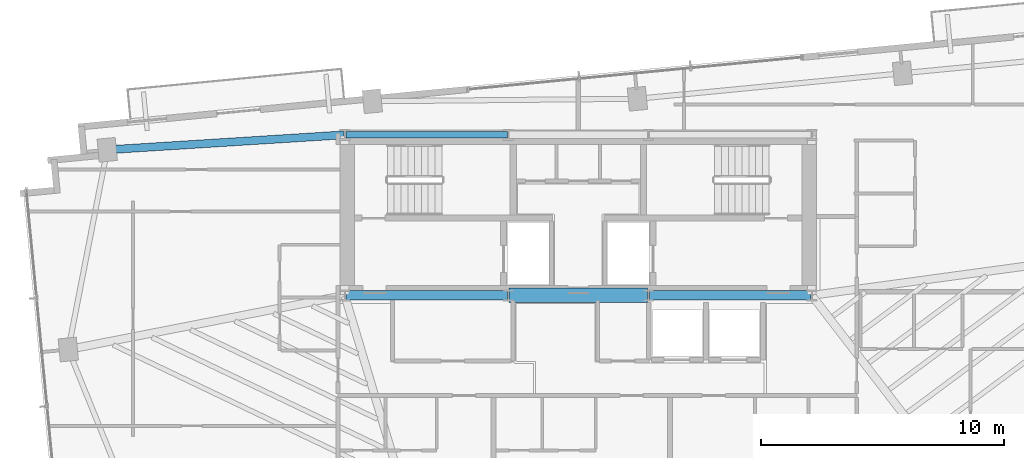
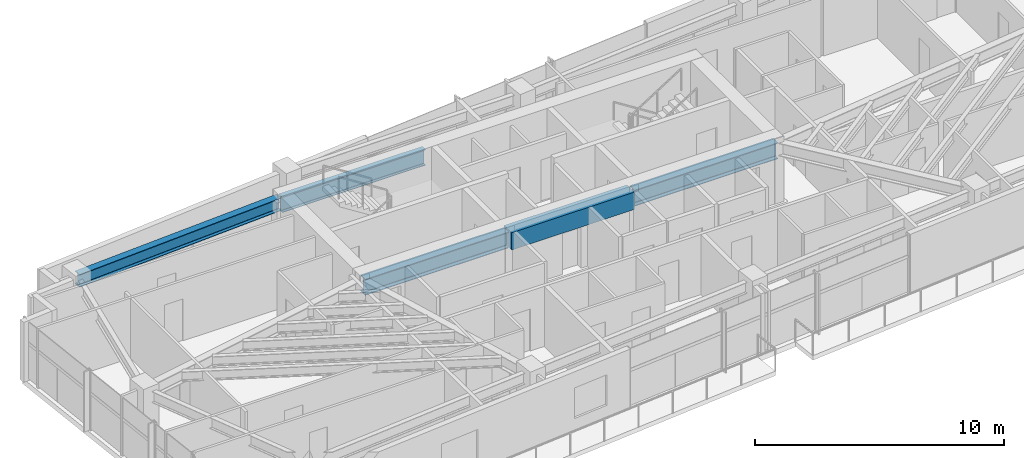
# One storey, part 5 of 18: 5 beams.
"""IFC4 building model written with IfcOpenShell, lengths in metres."""

from ifc_helpers import new_model, si_unit, direction, frame, origin, origin_2d, place, context, subcontext, project, spatial, rectangle, i_section, extrude, source, transform, mapped, material, material_profile, profile_set, type_object, type_shapes, element, save


model = new_model("IFC4")

# Units and contexts
model_context = context("Model", 3, precision=1e-05, world=origin(), true_north=direction((0.0, 1.0)))
body_context = subcontext(model_context, "Body", "Model", "MODEL_VIEW")
ifc_project = project(units=[si_unit("LENGTHUNIT", "METRE"), si_unit("AREAUNIT", "SQUARE_METRE"), si_unit("VOLUMEUNIT", "CUBIC_METRE"), si_unit("PLANEANGLEUNIT", "RADIAN"), si_unit("MASSUNIT", "GRAM", prefix="KILO")], contexts=[model_context])

# Site, building, storey
site_placement = place(None, origin())
site = spatial("IfcSite", under=ifc_project, at=site_placement, CompositionType="ELEMENT")
building_placement = place(site_placement, origin())
building = spatial("IfcBuilding", under=site, at=building_placement, Name="Astriad Promenade Condominiums", CompositionType="ELEMENT")
storey_placement = place(building_placement, frame((0.0, 0.0, 192.199951171875)))
storey = spatial("IfcBuildingStorey", under=building, at=storey_placement, Name="L55", CompositionType="ELEMENT", Elevation=192.199951171875)

# Beams
ifc_material_1 = material(Name="Steel ASTM A992 Grade 50", Category="steel")
ifc_material_profile_1 = material_profile(ifc_material_1, i_section(OverallWidth=0.3837890625, OverallDepth=0.785888671875, WebThickness=0.019775390625, FlangeThickness=0.033447265625, FilletRadius=0.021484375, at=origin_2d()), Name="W30X211")
ifc_profile_set_1 = profile_set([ifc_material_profile_1], Name="Steel ASTM A992 Grade 50")
beam_type_1 = type_object("IfcBeamType", Name="STEEL FLOOR GIRDER W30X211", PredefinedType="BEAM", material=ifc_profile_set_1)
shared_shape_1 = source(origin(), body_context, "Body", "SweptSolid", [
    extrude(i_section(OverallWidth=0.3837890625, OverallDepth=0.785888671875, WebThickness=0.019775390625, FlangeThickness=0.033447265625, FilletRadius=0.021484375, at=origin_2d()), origin(), (0.0, 0.0, 1.0), 6.64013671875),
])
type_shapes(beam_type_1, [shared_shape_1])
for number, where, z_axis, x_axis, name in (
    (1, (26.43994140625, 17.39990234375, 2.547119140625), (1.0, 0.0, 0.0), (0.0, 1.0, 0.0), "Core Ring Beam CG-S1-L55"),
    (2, (38.919921875, 17.39990234375, 2.547119140625), (1.0, 0.0, 0.0), (0.0, 1.0, 0.0), "Core Ring Beam CG-S3-L55"),
):
    element("IfcBeam", number, at=place(storey_placement, frame(where, z_axis=z_axis, x_axis=x_axis)), inside=storey, type_object=beam_type_1, Name=name, PredefinedType="BEAM", context=body_context, shape_type="MappedRepresentation", body=[
        mapped(shared_shape_1, transform((0.0, 0.0, 0.0), scale=1.0)),
    ])
ifc_material_profile_2 = material_profile(ifc_material_1, i_section(OverallWidth=0.267822265625, OverallDepth=0.76953125, WebThickness=0.015625, FlangeThickness=0.025390625, FilletRadius=0.021484375, at=origin_2d()), Name="W30X132")
ifc_profile_set_2 = profile_set([ifc_material_profile_2], Name="Steel ASTM A992 Grade 50")
beam_type_2 = type_object("IfcBeamType", Name="STEEL FLOOR GIRDER W30X132", PredefinedType="BEAM", material=ifc_profile_set_2)
shared_shape_2 = source(origin(), body_context, "Body", "SweptSolid", [
    extrude(i_section(OverallWidth=0.267822265625, OverallDepth=0.76953125, WebThickness=0.015625, FlangeThickness=0.025390625, FilletRadius=0.021484375, at=origin_2d()), origin(), (0.0, 0.0, 1.0), 6.64013671875),
])
type_shapes(beam_type_2, [shared_shape_2])
beam_1_placement = place(storey_placement, frame((26.43994140625, 24.0, 2.55517578125), z_axis=(1.0, 0.0, 0.0), x_axis=(0.0, 1.0, 0.0)))
element("IfcBeam", 3, at=beam_1_placement, inside=storey, type_object=beam_type_2, Name="Core Ring Beam CG-N1-L55", PredefinedType="BEAM", context=body_context, shape_type="MappedRepresentation", body=[
    mapped(shared_shape_2, transform((0.0, 0.0, 0.0), scale=1.0)),
])
ifc_material_2 = material(Name="Concrete C60/75", Category="concrete")
ifc_material_profile_3 = material_profile(ifc_material_2, rectangle(XDim=0.60009765625, YDim=0.85009765625, at=origin_2d()), Name="RC-BM-600X850")
ifc_profile_set_3 = profile_set([ifc_material_profile_3], Name="Concrete C60/75")
beam_type_3 = type_object("IfcBeamType", Name="CONCRETE CORE COUPLING LINTEL 600X850", PredefinedType="LINTEL", material=ifc_profile_set_3)
shared_shape_3 = source(origin(), body_context, "Body", "SweptSolid", [
    extrude(rectangle(XDim=0.60009765625, YDim=0.85009765625, at=origin_2d()), origin(), (0.0, 0.0, 1.0), 5.68017578125),
])
type_shapes(beam_type_3, [shared_shape_3])
beam_2_placement = place(storey_placement, frame((33.159912109375, 17.39990234375, 2.51513671875), z_axis=(1.0, 0.0, 0.0), x_axis=(0.0, 1.0, 0.0)))
element("IfcBeam", 4, at=beam_2_placement, inside=storey, type_object=beam_type_3, Name="Core Ring Beam CG-S2-L55", PredefinedType="LINTEL", context=body_context, shape_type="MappedRepresentation", body=[
    mapped(shared_shape_3, transform((0.0, 0.0, 0.0), scale=1.0)),
])
ifc_material_profile_4 = material_profile(ifc_material_1, i_section(OverallWidth=0.326416015625, OverallDepth=0.621826171875, WebThickness=0.015380859375, FlangeThickness=0.0244140625, FilletRadius=0.017822265625, at=origin_2d()), Name="W24X131")
ifc_profile_set_4 = profile_set([ifc_material_profile_4], Name="Steel ASTM A992 Grade 50")
beam_type_4 = type_object("IfcBeamType", Name="STEEL FLOOR GIRDER W24X131", PredefinedType="BEAM", material=ifc_profile_set_4)
shared_shape_4 = source(origin(), body_context, "Body", "SweptSolid", [
    extrude(i_section(OverallWidth=0.326416015625, OverallDepth=0.621826171875, WebThickness=0.015380859375, FlangeThickness=0.0244140625, FilletRadius=0.017822265625, at=origin_2d()), origin(), (0.0, 0.0, 1.0), 9.707275390625),
])
type_shapes(beam_type_4, [shared_shape_4])
beam_3_placement = place(storey_placement, frame((16.672119140625, 23.38671875, 2.629150390625), z_axis=(0.998018176507, 0.062926301034, 0.0), x_axis=(-0.062926301034, 0.998018176507, 0.0)))
element("IfcBeam", 5, at=beam_3_placement, inside=storey, type_object=beam_type_4, Name="Primary Floor Girder PG-NW-L55", PredefinedType="BEAM", context=body_context, shape_type="MappedRepresentation", body=[
    mapped(shared_shape_4, transform((0.0, 0.0, 0.0), scale=1.0)),
])

save(model, "model.ifc")
